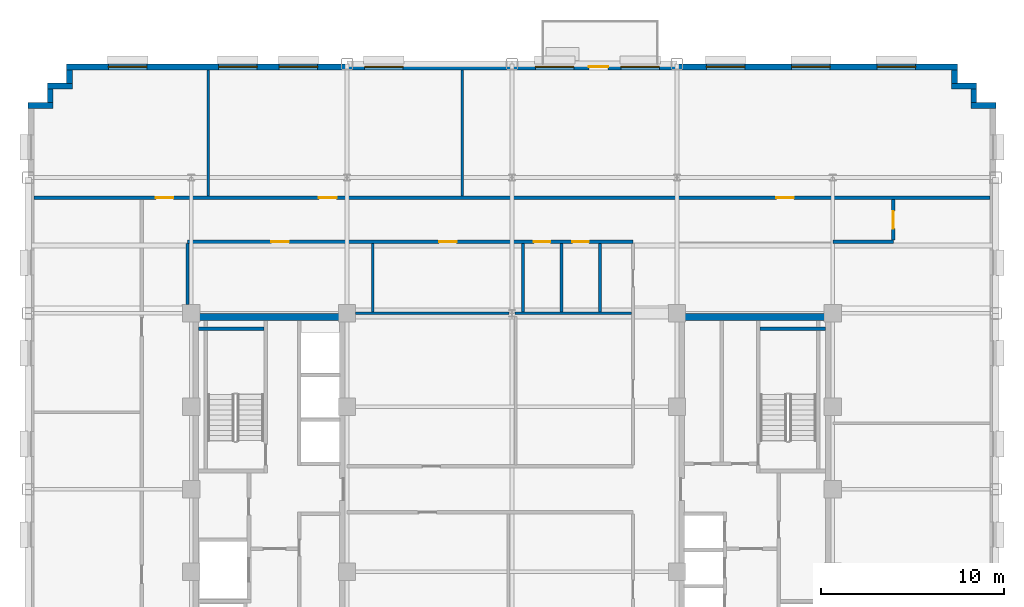
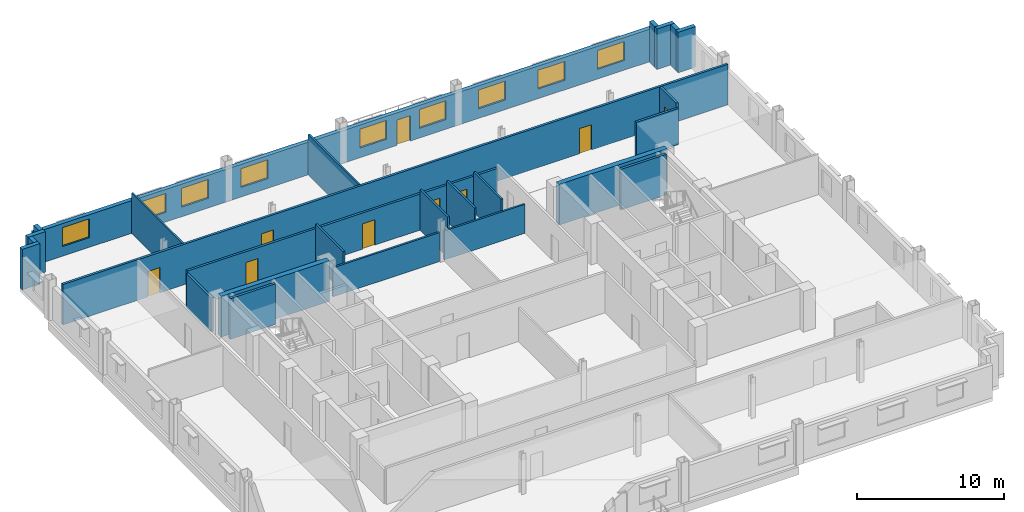
# One storey, part 9 of 14: 26 walls, 9 doors, 9 windows, 18 openings.
"""IFC4 building model written with IfcOpenShell, lengths in metres."""

from ifc_helpers import new_model, si_unit, direction, frame, frame_2d, origin, place, context, subcontext, project, spatial, rectangle, extrude, source, transform, mapped, material, layer, layer_set, type_object, type_shapes, element, fill, save


model = new_model("IFC4")

# Units and contexts
model_context = context("Model", 3, precision=1e-05, world=origin(), true_north=direction((0.0, 1.0)))
body_context = subcontext(model_context, "Body", "Model", "MODEL_VIEW")
ifc_project = project(units=[si_unit("LENGTHUNIT", "METRE"), si_unit("AREAUNIT", "SQUARE_METRE"), si_unit("VOLUMEUNIT", "CUBIC_METRE"), si_unit("PLANEANGLEUNIT", "RADIAN"), si_unit("MASSUNIT", "GRAM", prefix="KILO")], contexts=[model_context])

# Site, building, storey
site_placement = place(None, origin())
site = spatial("IfcSite", under=ifc_project, at=site_placement, CompositionType="ELEMENT")
building_placement = place(site_placement, origin())
building = spatial("IfcBuilding", under=site, at=building_placement, Name="Nuvemarco Arch Tower", CompositionType="ELEMENT")
storey_placement = place(building_placement, frame((0.0, 0.0, 145.75)))
storey = spatial("IfcBuildingStorey", under=building, at=storey_placement, Name="L38", CompositionType="ELEMENT", Elevation=145.75)

# Walls
ifc_material_1 = material(Name="Precast concrete C45/55", Category="concrete")
ifc_layer_1 = layer(ifc_material_1, 0.320068359375, Name="EW-MID-320")
ifc_layer_set_1 = layer_set([ifc_layer_1], Name="Precast concrete C45/55")
wall_type_1 = type_object("IfcWallType", Name="EW-MID-320", PredefinedType="STANDARD", material=ifc_layer_set_1)
wall_1_placement = place(storey_placement, frame((25.030029296875, 20.93994140625, 0.0), z_axis=(0.0, 0.0, 1.0), x_axis=(1.0, 0.0, 0.0)))
element("IfcWall", 1, at=wall_1_placement, inside=storey, type_object=wall_type_1, Name="L38 exterior precast facade wall 7", PredefinedType="STANDARD", context=body_context, shape_type="SweptSolid", body=[
    extrude(rectangle(XDim=1.369873046875, YDim=0.320068359375, at=frame_2d((0.68505859375, 0.0))), origin(), (0.0, 0.0, 1.0), 3.360107421875),
])
wall_2_placement = place(storey_placement, frame((25.18994140625, 21.095947265625, 0.0), z_axis=(0.0, 0.0, 1.0), x_axis=(0.0, 1.0, 0.0)))
element("IfcWall", 2, at=wall_2_placement, inside=storey, type_object=wall_type_1, Name="L38 exterior precast facade wall 8", PredefinedType="STANDARD", context=body_context, shape_type="SweptSolid", body=[
    extrude(rectangle(XDim=0.738037109375, YDim=0.320068359375, at=frame_2d((0.369140625, 0.0))), origin(), (0.0, 0.0, 1.0), 3.360107421875),
])
wall_3_placement = place(storey_placement, frame((23.97998046875, 21.989990234375, 0.0), z_axis=(0.0, 0.0, 1.0), x_axis=(1.0, 0.0, 0.0)))
element("IfcWall", 3, at=wall_3_placement, inside=storey, type_object=wall_type_1, Name="L38 exterior precast facade wall 9", PredefinedType="STANDARD", context=body_context, shape_type="SweptSolid", body=[
    extrude(rectangle(XDim=1.3701171875, YDim=0.320068359375, at=frame_2d((0.68505859375, 0.0))), origin(), (0.0, 0.0, 1.0), 3.360107421875),
])
wall_4_placement = place(storey_placement, frame((24.139892578125, 22.14599609375, 0.0), z_axis=(0.0, 0.0, 1.0), x_axis=(0.0, 1.0, 0.0)))
element("IfcWall", 4, at=wall_4_placement, inside=storey, type_object=wall_type_1, Name="L38 exterior precast facade wall 10", PredefinedType="STANDARD", context=body_context, shape_type="SweptSolid", body=[
    extrude(rectangle(XDim=0.738037109375, YDim=0.320068359375, at=frame_2d((0.369140625, 0.0))), origin(), (0.0, 0.0, 1.0), 3.360107421875),
])

# Wall, openings, door, windows
wall_5_placement = place(storey_placement, frame((-24.300048828125, 23.0400390625, 0.0), z_axis=(0.0, 0.0, 1.0), x_axis=(1.0, 0.0, 0.0)))
wall_5 = element("IfcWall", 5, at=wall_5_placement, inside=storey, type_object=wall_type_1, Name="L38 exterior precast facade wall 11", PredefinedType="STANDARD", context=body_context, shape_type="SweptSolid", body=[
    extrude(rectangle(XDim=48.60009765625, YDim=0.320068359375, at=frame_2d((24.300048828125, 0.0))), origin(), (0.0, 0.0, 1.0), 2.705078125),
])
opening_1_placement = place(wall_5_placement, frame((28.5, 0.0, 0.0)))
opening_1 = element("IfcOpeningElement", 6, at=opening_1_placement, cuts=wall_5, Name="Opening ED-5", PredefinedType="OPENING", context=body_context, shape_type="SweptSolid", body=[
    extrude(rectangle(XDim=1.050048828125, YDim=2.10009765625, at=frame_2d((0.52490234375, 1.050048828125))), frame((0.0, 0.169921875, 0.0), z_axis=(0.0, -1.0, 0.0), x_axis=(1.0, 0.0, 0.0)), (0.0, 0.0, 1.0), 0.340087890625),
])
opening_2_placement = place(wall_5_placement, frame((2.280029296875, 0.0, 0.800048828125)))
opening_2 = element("IfcOpeningElement", 7, at=opening_2_placement, cuts=wall_5, Name="Opening WN-5", PredefinedType="OPENING", context=body_context, shape_type="SweptSolid", body=[
    extrude(rectangle(XDim=2.10009765625, YDim=1.56005859375, at=frame_2d((1.050048828125, 0.780029296875))), frame((0.0, 0.169921875, 0.0), z_axis=(0.0, -1.0, 0.0), x_axis=(1.0, 0.0, 0.0)), (0.0, 0.0, 1.0), 0.340087890625),
])
opening_3_placement = place(wall_5_placement, frame((8.2900390625, 0.0, 0.800048828125)))
opening_3 = element("IfcOpeningElement", 8, at=opening_3_placement, cuts=wall_5, Name="Opening WN-5", PredefinedType="OPENING", context=body_context, shape_type="SweptSolid", body=[
    extrude(rectangle(XDim=2.10009765625, YDim=1.56005859375, at=frame_2d((1.050048828125, 0.780029296875))), frame((0.0, 0.169921875, 0.0), z_axis=(0.0, -1.0, 0.0), x_axis=(1.0, 0.0, 0.0)), (0.0, 0.0, 1.0), 0.340087890625),
])
opening_4_placement = place(wall_5_placement, frame((11.60009765625, 0.0, 0.800048828125)))
opening_4 = element("IfcOpeningElement", 9, at=opening_4_placement, cuts=wall_5, Name="Opening WN-5", PredefinedType="OPENING", context=body_context, shape_type="SweptSolid", body=[
    extrude(rectangle(XDim=2.10009765625, YDim=1.56005859375, at=frame_2d((1.050048828125, 0.780029296875))), frame((0.0, 0.169921875, 0.0), z_axis=(0.0, -1.0, 0.0), x_axis=(1.0, 0.0, 0.0)), (0.0, 0.0, 1.0), 0.340087890625),
])
opening_5_placement = place(wall_5_placement, frame((16.260009765625, 0.0, 0.800048828125)))
opening_5 = element("IfcOpeningElement", 10, at=opening_5_placement, cuts=wall_5, Name="Opening WN-5", PredefinedType="OPENING", context=body_context, shape_type="SweptSolid", body=[
    extrude(rectangle(XDim=2.10009765625, YDim=1.56005859375, at=frame_2d((1.050048828125, 0.780029296875))), frame((0.0, 0.169921875, 0.0), z_axis=(0.0, -1.0, 0.0), x_axis=(1.0, 0.0, 0.0)), (0.0, 0.0, 1.0), 0.340087890625),
])
opening_6_placement = place(wall_5_placement, frame((25.580078125, 0.0, 0.800048828125)))
opening_6 = element("IfcOpeningElement", 11, at=opening_6_placement, cuts=wall_5, Name="Opening WN-5", PredefinedType="OPENING", context=body_context, shape_type="SweptSolid", body=[
    extrude(rectangle(XDim=2.10009765625, YDim=1.56005859375, at=frame_2d((1.050048828125, 0.780029296875))), frame((0.0, 0.169921875, 0.0), z_axis=(0.0, -1.0, 0.0), x_axis=(1.0, 0.0, 0.0)), (0.0, 0.0, 1.0), 0.340087890625),
])
opening_7_placement = place(wall_5_placement, frame((30.239990234375, 0.0, 0.800048828125)))
opening_7 = element("IfcOpeningElement", 12, at=opening_7_placement, cuts=wall_5, Name="Opening WN-5", PredefinedType="OPENING", context=body_context, shape_type="SweptSolid", body=[
    extrude(rectangle(XDim=2.10009765625, YDim=1.56005859375, at=frame_2d((1.050048828125, 0.780029296875))), frame((0.0, 0.169921875, 0.0), z_axis=(0.0, -1.0, 0.0), x_axis=(1.0, 0.0, 0.0)), (0.0, 0.0, 1.0), 0.340087890625),
])
opening_8_placement = place(wall_5_placement, frame((34.89990234375, 0.0, 0.800048828125)))
opening_8 = element("IfcOpeningElement", 13, at=opening_8_placement, cuts=wall_5, Name="Opening WN-5", PredefinedType="OPENING", context=body_context, shape_type="SweptSolid", body=[
    extrude(rectangle(XDim=2.10009765625, YDim=1.56005859375, at=frame_2d((1.050048828125, 0.780029296875))), frame((0.0, 0.169921875, 0.0), z_axis=(0.0, -1.0, 0.0), x_axis=(1.0, 0.0, 0.0)), (0.0, 0.0, 1.0), 0.340087890625),
])
opening_9_placement = place(wall_5_placement, frame((39.56005859375, 0.0, 0.800048828125)))
opening_9 = element("IfcOpeningElement", 14, at=opening_9_placement, cuts=wall_5, Name="Opening WN-5", PredefinedType="OPENING", context=body_context, shape_type="SweptSolid", body=[
    extrude(rectangle(XDim=2.10009765625, YDim=1.56005859375, at=frame_2d((1.050048828125, 0.780029296875))), frame((0.0, 0.169921875, 0.0), z_axis=(0.0, -1.0, 0.0), x_axis=(1.0, 0.0, 0.0)), (0.0, 0.0, 1.0), 0.340087890625),
])
opening_10_placement = place(wall_5_placement, frame((44.219970703125, 0.0, 0.800048828125)))
opening_10 = element("IfcOpeningElement", 15, at=opening_10_placement, cuts=wall_5, Name="Opening WN-5", PredefinedType="OPENING", context=body_context, shape_type="SweptSolid", body=[
    extrude(rectangle(XDim=2.10009765625, YDim=1.56005859375, at=frame_2d((1.050048828125, 0.780029296875))), frame((0.0, 0.169921875, 0.0), z_axis=(0.0, -1.0, 0.0), x_axis=(1.0, 0.0, 0.0)), (0.0, 0.0, 1.0), 0.340087890625),
])
ifc_material_2 = material(Name="Anodised bronze and laminated glass", Category="glass")
door_type_1 = type_object("IfcDoorType", Name="DR-EXT-TERR", OperationType="NOTDEFINED", PredefinedType="DOOR", material=ifc_material_2)
shared_shape_1 = source(origin(), body_context, "Body", "SweptSolid", [
    extrude(rectangle(XDim=1.050048828125, YDim=2.10009765625, at=frame_2d((0.52490234375, 1.050048828125))), frame((0.0, 0.02490234375, 0.0), z_axis=(0.0, -1.0, 0.0), x_axis=(1.0, 0.0, 0.0)), (0.0, 0.0, 1.0), 0.050048828125),
])
type_shapes(door_type_1, [shared_shape_1])
door_1_placement = place(opening_1_placement, origin())
door_1 = element("IfcDoor", 16, at=door_1_placement, inside=storey, type_object=door_type_1, Name="L38 spiral terrace access door", OperationType="SINGLE_SWING_LEFT", OverallHeight=2.10009765625, OverallWidth=1.050048828125, PredefinedType="DOOR", context=body_context, shape_type="MappedRepresentation", body=[
    mapped(shared_shape_1, transform((0.0, 0.0, 0.0), scale=1.0)),
])
fill(opening_1, door_1)
ifc_material_3 = material(Name="Insulated solar-control glass", Category="glass")
window_type = type_object("IfcWindowType", Name="WN-MID-2100x1560", PartitioningType="DOUBLE_PANEL_VERTICAL", PredefinedType="WINDOW", material=ifc_material_3)
shared_shape_2 = source(origin(), body_context, "Body", "SweptSolid", [
    extrude(rectangle(XDim=2.10009765625, YDim=1.56005859375, at=frame_2d((1.050048828125, 0.780029296875))), frame((0.0, 0.030029296875, 0.0), z_axis=(0.0, -1.0, 0.0), x_axis=(1.0, 0.0, 0.0)), (0.0, 0.0, 1.0), 0.06005859375),
])
type_shapes(window_type, [shared_shape_2])
window_1_placement = place(opening_2_placement, origin())
window_1 = element("IfcWindow", 17, at=window_1_placement, inside=storey, type_object=window_type, Name="L38 punched facade window 1", OverallHeight=1.56005859375, OverallWidth=2.10009765625, PartitioningType="SINGLE_PANEL", PredefinedType="WINDOW", context=body_context, shape_type="MappedRepresentation", body=[
    mapped(shared_shape_2, transform((0.0, 0.0, 0.0), scale=1.0)),
])
fill(opening_2, window_1)
window_2_placement = place(opening_3_placement, origin())
window_2 = element("IfcWindow", 18, at=window_2_placement, inside=storey, type_object=window_type, Name="L38 punched facade window 2", OverallHeight=1.56005859375, OverallWidth=2.10009765625, PartitioningType="SINGLE_PANEL", PredefinedType="WINDOW", context=body_context, shape_type="MappedRepresentation", body=[
    mapped(shared_shape_2, transform((0.0, 0.0, 0.0), scale=1.0)),
])
fill(opening_3, window_2)
window_3_placement = place(opening_4_placement, origin())
window_3 = element("IfcWindow", 19, at=window_3_placement, inside=storey, type_object=window_type, Name="L38 punched facade window 3", OverallHeight=1.56005859375, OverallWidth=2.10009765625, PartitioningType="SINGLE_PANEL", PredefinedType="WINDOW", context=body_context, shape_type="MappedRepresentation", body=[
    mapped(shared_shape_2, transform((0.0, 0.0, 0.0), scale=1.0)),
])
fill(opening_4, window_3)
window_4_placement = place(opening_5_placement, origin())
window_4 = element("IfcWindow", 20, at=window_4_placement, inside=storey, type_object=window_type, Name="L38 punched facade window 4", OverallHeight=1.56005859375, OverallWidth=2.10009765625, PartitioningType="SINGLE_PANEL", PredefinedType="WINDOW", context=body_context, shape_type="MappedRepresentation", body=[
    mapped(shared_shape_2, transform((0.0, 0.0, 0.0), scale=1.0)),
])
fill(opening_5, window_4)
window_5_placement = place(opening_6_placement, origin())
window_5 = element("IfcWindow", 21, at=window_5_placement, inside=storey, type_object=window_type, Name="L38 punched facade window 6", OverallHeight=1.56005859375, OverallWidth=2.10009765625, PartitioningType="SINGLE_PANEL", PredefinedType="WINDOW", context=body_context, shape_type="MappedRepresentation", body=[
    mapped(shared_shape_2, transform((0.0, 0.0, 0.0), scale=1.0)),
])
fill(opening_6, window_5)
window_6_placement = place(opening_7_placement, origin())
window_6 = element("IfcWindow", 22, at=window_6_placement, inside=storey, type_object=window_type, Name="L38 punched facade window 7", OverallHeight=1.56005859375, OverallWidth=2.10009765625, PartitioningType="SINGLE_PANEL", PredefinedType="WINDOW", context=body_context, shape_type="MappedRepresentation", body=[
    mapped(shared_shape_2, transform((0.0, 0.0, 0.0), scale=1.0)),
])
fill(opening_7, window_6)
window_7_placement = place(opening_8_placement, origin())
window_7 = element("IfcWindow", 23, at=window_7_placement, inside=storey, type_object=window_type, Name="L38 punched facade window 8", OverallHeight=1.56005859375, OverallWidth=2.10009765625, PartitioningType="SINGLE_PANEL", PredefinedType="WINDOW", context=body_context, shape_type="MappedRepresentation", body=[
    mapped(shared_shape_2, transform((0.0, 0.0, 0.0), scale=1.0)),
])
fill(opening_8, window_7)
window_8_placement = place(opening_9_placement, origin())
window_8 = element("IfcWindow", 24, at=window_8_placement, inside=storey, type_object=window_type, Name="L38 punched facade window 9", OverallHeight=1.56005859375, OverallWidth=2.10009765625, PartitioningType="SINGLE_PANEL", PredefinedType="WINDOW", context=body_context, shape_type="MappedRepresentation", body=[
    mapped(shared_shape_2, transform((0.0, 0.0, 0.0), scale=1.0)),
])
fill(opening_9, window_8)
window_9_placement = place(opening_10_placement, origin())
window_9 = element("IfcWindow", 25, at=window_9_placement, inside=storey, type_object=window_type, Name="L38 punched facade window 10", OverallHeight=1.56005859375, OverallWidth=2.10009765625, PartitioningType="SINGLE_PANEL", PredefinedType="WINDOW", context=body_context, shape_type="MappedRepresentation", body=[
    mapped(shared_shape_2, transform((0.0, 0.0, 0.0), scale=1.0)),
])
fill(opening_10, window_9)

# Walls
wall_6_placement = place(storey_placement, frame((-24.139892578125, 22.14599609375, 0.0), z_axis=(0.0, 0.0, 1.0), x_axis=(0.0, 1.0, 0.0)))
element("IfcWall", 26, at=wall_6_placement, inside=storey, type_object=wall_type_1, Name="L38 exterior precast facade wall 12", PredefinedType="STANDARD", context=body_context, shape_type="SweptSolid", body=[
    extrude(rectangle(XDim=0.738037109375, YDim=0.320068359375, at=frame_2d((0.369140625, 0.0))), origin(), (0.0, 0.0, 1.0), 3.360107421875),
])
wall_7_placement = place(storey_placement, frame((-25.35009765625, 21.989990234375, 0.0), z_axis=(0.0, 0.0, 1.0), x_axis=(1.0, 0.0, 0.0)))
element("IfcWall", 27, at=wall_7_placement, inside=storey, type_object=wall_type_1, Name="L38 exterior precast facade wall 13", PredefinedType="STANDARD", context=body_context, shape_type="SweptSolid", body=[
    extrude(rectangle(XDim=1.3701171875, YDim=0.320068359375, at=frame_2d((0.68505859375, 0.0))), origin(), (0.0, 0.0, 1.0), 3.360107421875),
])
wall_8_placement = place(storey_placement, frame((-25.18994140625, 21.095947265625, 0.0), z_axis=(0.0, 0.0, 1.0), x_axis=(0.0, 1.0, 0.0)))
element("IfcWall", 28, at=wall_8_placement, inside=storey, type_object=wall_type_1, Name="L38 exterior precast facade wall 14", PredefinedType="STANDARD", context=body_context, shape_type="SweptSolid", body=[
    extrude(rectangle(XDim=0.738037109375, YDim=0.320068359375, at=frame_2d((0.369140625, 0.0))), origin(), (0.0, 0.0, 1.0), 3.360107421875),
])
wall_9_placement = place(storey_placement, frame((-26.39990234375, 20.93994140625, 0.0), z_axis=(0.0, 0.0, 1.0), x_axis=(1.0, 0.0, 0.0)))
element("IfcWall", 29, at=wall_9_placement, inside=storey, type_object=wall_type_1, Name="L38 exterior precast facade wall 15", PredefinedType="STANDARD", context=body_context, shape_type="SweptSolid", body=[
    extrude(rectangle(XDim=1.369873046875, YDim=0.320068359375, at=frame_2d((0.68505859375, 0.0))), origin(), (0.0, 0.0, 1.0), 3.360107421875),
])
ifc_material_4 = material(Name="Concrete C60/75", Category="concrete")
ifc_layer_2 = layer(ifc_material_4, 0.39990234375, Name="WL-CORE-400")
ifc_layer_set_2 = layer_set([ifc_layer_2], Name="Concrete C60/75")
wall_type_2 = type_object("IfcWallType", Name="WL-CORE-400", PredefinedType="SHEAR", material=ifc_layer_set_2)
for number, where, z_axis, x_axis, name in (
    (30, (-17.5, 9.39990234375, 0.0), (0.0, 0.0, 1.0), (1.0, 0.0, 0.0), "L38 W-core shear wall N"),
    (31, (9.0, 9.39990234375, 0.0), (0.0, 0.0, 1.0), (1.0, 0.0, 0.0), "L38 E-core shear wall N"),
):
    element("IfcWall", number, at=place(storey_placement, frame(where, z_axis=z_axis, x_axis=x_axis)), inside=storey, type_object=wall_type_2, Name=name, PredefinedType="SHEAR", context=body_context, shape_type="SweptSolid", body=[
        extrude(rectangle(XDim=8.5, YDim=0.39990234375, at=frame_2d((4.25, 0.0))), origin(), (0.0, 0.0, 1.0), 3.3701171875),
    ])

# Wall, openings, doors
ifc_material_5 = material(Name="Fire-rated gypsum drywall partition")
ifc_layer_3 = layer(ifc_material_5, 0.179931640625, Name="WL-CORR-180")
ifc_layer_set_3 = layer_set([ifc_layer_3], Name="Fire-rated gypsum drywall partition")
wall_type_3 = type_object("IfcWallType", Name="WL-CORR-180", PredefinedType="PARTITIONING", material=ifc_layer_set_3)
wall_10_placement = place(storey_placement, frame((-17.699951171875, 13.5, 0.0), z_axis=(0.0, 0.0, 1.0), x_axis=(1.0, 0.0, 0.0)))
wall_10 = element("IfcWall", 32, at=wall_10_placement, inside=storey, type_object=wall_type_3, Name="L38 interior wall IW-L38-012", PredefinedType="PARTITIONING", context=body_context, shape_type="SweptSolid", body=[
    extrude(rectangle(XDim=24.300048828125, YDim=0.179931640625, at=frame_2d((12.14990234375, 0.0))), origin(), (0.0, 0.0, 1.0), 2.998046875),
])
opening_11_placement = place(wall_10_placement, frame((4.570068359375, 0.0, 0.0)))
opening_11 = element("IfcOpeningElement", 33, at=opening_11_placement, cuts=wall_10, Name="Opening FD-5", PredefinedType="OPENING", context=body_context, shape_type="SweptSolid", body=[
    extrude(rectangle(XDim=0.9599609375, YDim=2.10009765625, at=frame_2d((0.47998046875, 1.050048828125))), frame((0.0, 0.099853515625, 0.0), z_axis=(0.0, -1.0, 0.0), x_axis=(1.0, 0.0, 0.0)), (0.0, 0.0, 1.0), 0.199951171875),
])
opening_12_placement = place(wall_10_placement, frame((13.719970703125, 0.0, 0.0)))
opening_12 = element("IfcOpeningElement", 34, at=opening_12_placement, cuts=wall_10, Name="Opening FD-5", PredefinedType="OPENING", context=body_context, shape_type="SweptSolid", body=[
    extrude(rectangle(XDim=0.9599609375, YDim=2.10009765625, at=frame_2d((0.47998046875, 1.050048828125))), frame((0.0, 0.099853515625, 0.0), z_axis=(0.0, -1.0, 0.0), x_axis=(1.0, 0.0, 0.0)), (0.0, 0.0, 1.0), 0.199951171875),
])
opening_13_placement = place(wall_10_placement, frame((18.89990234375, 0.0, 0.0)))
opening_13 = element("IfcOpeningElement", 35, at=opening_13_placement, cuts=wall_10, Name="Opening ID-3", PredefinedType="OPENING", context=body_context, shape_type="SweptSolid", body=[
    extrude(rectangle(XDim=0.89990234375, YDim=2.10009765625, at=frame_2d((0.449951171875, 1.050048828125))), frame((0.0, 0.099853515625, 0.0), z_axis=(0.0, -1.0, 0.0), x_axis=(1.0, 0.0, 0.0)), (0.0, 0.0, 1.0), 0.199951171875),
])
opening_14_placement = place(wall_10_placement, frame((21.0, 0.0, 0.0)))
opening_14 = element("IfcOpeningElement", 36, at=opening_14_placement, cuts=wall_10, Name="Opening ID-3", PredefinedType="OPENING", context=body_context, shape_type="SweptSolid", body=[
    extrude(rectangle(XDim=0.89990234375, YDim=2.10009765625, at=frame_2d((0.449951171875, 1.050048828125))), frame((0.0, 0.099853515625, 0.0), z_axis=(0.0, -1.0, 0.0), x_axis=(1.0, 0.0, 0.0)), (0.0, 0.0, 1.0), 0.199951171875),
])
ifc_material_6 = material(Name="Timber fire door", Category="wood")
door_type_2 = type_object("IfcDoorType", Name="DR-CORR-FD", OperationType="NOTDEFINED", PredefinedType="DOOR", material=ifc_material_6)
shared_shape_3 = source(origin(), body_context, "Body", "SweptSolid", [
    extrude(rectangle(XDim=0.9599609375, YDim=2.10009765625, at=frame_2d((0.47998046875, 1.050048828125))), frame((0.0, 0.02490234375, 0.0), z_axis=(0.0, -1.0, 0.0), x_axis=(1.0, 0.0, 0.0)), (0.0, 0.0, 1.0), 0.050048828125),
])
type_shapes(door_type_2, [shared_shape_3])
door_2_placement = place(opening_11_placement, origin())
door_2 = element("IfcDoor", 37, at=door_2_placement, inside=storey, type_object=door_type_2, Name="L38 door DR-L38-IN_N1", OperationType="SINGLE_SWING_LEFT", OverallHeight=2.10009765625, OverallWidth=0.9599609375, PredefinedType="DOOR", context=body_context, shape_type="MappedRepresentation", body=[
    mapped(shared_shape_3, transform((0.0, 0.0, 0.0), scale=1.0)),
])
fill(opening_11, door_2)
door_3_placement = place(opening_12_placement, origin())
door_3 = element("IfcDoor", 38, at=door_3_placement, inside=storey, type_object=door_type_2, Name="L38 door DR-L38-IN_N2", OperationType="SINGLE_SWING_LEFT", OverallHeight=2.10009765625, OverallWidth=0.9599609375, PredefinedType="DOOR", context=body_context, shape_type="MappedRepresentation", body=[
    mapped(shared_shape_3, transform((0.0, 0.0, 0.0), scale=1.0)),
])
fill(opening_12, door_3)
ifc_material_7 = material(Name="Veneered oak timber fire door", Category="wood")
door_type_3 = type_object("IfcDoorType", Name="DR-WC-ACC", OperationType="NOTDEFINED", PredefinedType="DOOR", material=ifc_material_7)
shared_shape_4 = source(origin(), body_context, "Body", "SweptSolid", [
    extrude(rectangle(XDim=0.89990234375, YDim=2.10009765625, at=frame_2d((0.449951171875, 1.050048828125))), frame((0.0, 0.02490234375, 0.0), z_axis=(0.0, -1.0, 0.0), x_axis=(1.0, 0.0, 0.0)), (0.0, 0.0, 1.0), 0.050048828125),
])
type_shapes(door_type_3, [shared_shape_4])
door_4_placement = place(opening_13_placement, origin())
door_4 = element("IfcDoor", 39, at=door_4_placement, inside=storey, type_object=door_type_3, Name="L38 door DR-L38-WC_M", OperationType="SINGLE_SWING_RIGHT", OverallHeight=2.10009765625, OverallWidth=0.89990234375, PredefinedType="DOOR", context=body_context, shape_type="MappedRepresentation", body=[
    mapped(shared_shape_4, transform((0.0, 0.0, 0.0), scale=1.0)),
])
fill(opening_13, door_4)
door_5_placement = place(opening_14_placement, origin())
door_5 = element("IfcDoor", 40, at=door_5_placement, inside=storey, type_object=door_type_3, Name="L38 door DR-L38-WC_F", OperationType="SINGLE_SWING_LEFT", OverallHeight=2.10009765625, OverallWidth=0.89990234375, PredefinedType="DOOR", context=body_context, shape_type="MappedRepresentation", body=[
    mapped(shared_shape_4, transform((0.0, 0.0, 0.0), scale=1.0)),
])
fill(opening_14, door_5)

# Wall
wall_11_placement = place(storey_placement, frame((17.5, 13.5, 0.0), z_axis=(0.0, 0.0, 1.0), x_axis=(1.0, 0.0, 0.0)))
element("IfcWall", 41, at=wall_11_placement, inside=storey, type_object=wall_type_3, Name="L38 interior wall IW-L38-013", PredefinedType="PARTITIONING", context=body_context, shape_type="SweptSolid", body=[
    extrude(rectangle(XDim=3.300048828125, YDim=0.179931640625, at=frame_2d((1.64990234375, 0.0))), origin(), (0.0, 0.0, 1.0), 2.998046875),
])

# Wall, openings, doors
wall_12_placement = place(storey_placement, frame((-26.080078125, 15.89990234375, 0.0), z_axis=(0.0, 0.0, 1.0), x_axis=(1.0, 0.0, 0.0)))
wall_12 = element("IfcWall", 42, at=wall_12_placement, inside=storey, type_object=wall_type_3, Name="L38 interior wall IW-L38-014", PredefinedType="PARTITIONING", context=body_context, shape_type="SweptSolid", body=[
    extrude(rectangle(XDim=52.16015625, YDim=0.179931640625, at=frame_2d((26.080078125, 0.0))), origin(), (0.0, 0.0, 1.0), 3.360107421875),
])
opening_15_placement = place(wall_12_placement, frame((15.550048828125, 0.0, 0.0)))
opening_15 = element("IfcOpeningElement", 43, at=opening_15_placement, cuts=wall_12, Name="Opening FD-5", PredefinedType="OPENING", context=body_context, shape_type="SweptSolid", body=[
    extrude(rectangle(XDim=0.9599609375, YDim=2.10009765625, at=frame_2d((0.47998046875, 1.050048828125))), frame((0.0, 0.099853515625, 0.0), z_axis=(0.0, -1.0, 0.0), x_axis=(1.0, 0.0, 0.0)), (0.0, 0.0, 1.0), 0.199951171875),
])
opening_16_placement = place(wall_12_placement, frame((40.5, 0.0, 0.0)))
opening_16 = element("IfcOpeningElement", 44, at=opening_16_placement, cuts=wall_12, Name="Opening FD-5", PredefinedType="OPENING", context=body_context, shape_type="SweptSolid", body=[
    extrude(rectangle(XDim=0.9599609375, YDim=2.10009765625, at=frame_2d((0.47998046875, 1.050048828125))), frame((0.0, 0.099853515625, 0.0), z_axis=(0.0, -1.0, 0.0), x_axis=(1.0, 0.0, 0.0)), (0.0, 0.0, 1.0), 0.199951171875),
])
opening_17_placement = place(wall_12_placement, frame((6.64990234375, 0.0, 0.0)))
opening_17 = element("IfcOpeningElement", 45, at=opening_17_placement, cuts=wall_12, Name="Opening FD-5", PredefinedType="OPENING", context=body_context, shape_type="SweptSolid", body=[
    extrude(rectangle(XDim=0.9599609375, YDim=2.10009765625, at=frame_2d((0.47998046875, 1.050048828125))), frame((0.0, 0.099853515625, 0.0), z_axis=(0.0, -1.0, 0.0), x_axis=(1.0, 0.0, 0.0)), (0.0, 0.0, 1.0), 0.199951171875),
])
door_6_placement = place(opening_15_placement, origin())
door_6 = element("IfcDoor", 46, at=door_6_placement, inside=storey, type_object=door_type_2, Name="L38 door DR-L38-N_2", OperationType="SINGLE_SWING_RIGHT", OverallHeight=2.10009765625, OverallWidth=0.9599609375, PredefinedType="DOOR", context=body_context, shape_type="MappedRepresentation", body=[
    mapped(shared_shape_3, transform((0.0, 0.0, 0.0), scale=1.0)),
])
fill(opening_15, door_6)
door_7_placement = place(opening_16_placement, origin())
door_7 = element("IfcDoor", 47, at=door_7_placement, inside=storey, type_object=door_type_2, Name="L38 door DR-L38-N_3", OperationType="SINGLE_SWING_LEFT", OverallHeight=2.10009765625, OverallWidth=0.9599609375, PredefinedType="DOOR", context=body_context, shape_type="MappedRepresentation", body=[
    mapped(shared_shape_3, transform((0.0, 0.0, 0.0), scale=1.0)),
])
fill(opening_16, door_7)
door_8_placement = place(opening_17_placement, origin())
door_8 = element("IfcDoor", 48, at=door_8_placement, inside=storey, type_object=door_type_2, Name="L38 door DR-L38-N_1", OperationType="SINGLE_SWING_LEFT", OverallHeight=2.10009765625, OverallWidth=0.9599609375, PredefinedType="DOOR", context=body_context, shape_type="MappedRepresentation", body=[
    mapped(shared_shape_3, transform((0.0, 0.0, 0.0), scale=1.0)),
])
fill(opening_17, door_8)

# Wall
wall_13_placement = place(storey_placement, frame((-17.699951171875, 10.071044921875, 0.0), z_axis=(0.0, 0.0, 1.0), x_axis=(0.0, 1.0, 0.0)))
element("IfcWall", 49, at=wall_13_placement, inside=storey, type_object=wall_type_3, Name="L38 interior wall IW-L38-017", PredefinedType="PARTITIONING", context=body_context, shape_type="SweptSolid", body=[
    extrude(rectangle(XDim=3.343017578125, YDim=0.179931640625, at=frame_2d((1.67138671875, 0.0))), origin(), (0.0, 0.0, 1.0), 2.81591796875),
])

# Wall, opening, door
wall_14_placement = place(storey_placement, frame((20.800048828125, 13.5859375, 0.0), z_axis=(0.0, 0.0, 1.0), x_axis=(0.0, 1.0, 0.0)))
wall_14 = element("IfcWall", 50, at=wall_14_placement, inside=storey, type_object=wall_type_3, Name="L38 interior wall IW-L38-030", PredefinedType="PARTITIONING", context=body_context, shape_type="SweptSolid", body=[
    extrude(rectangle(XDim=2.22802734375, YDim=0.179931640625, at=frame_2d((1.114013671875, 0.0))), origin(), (0.0, 0.0, 1.0), 3.360107421875),
])
opening_18_placement = place(wall_14_placement, frame((0.634033203125, 0.0, 0.0)))
opening_18 = element("IfcOpeningElement", 51, at=opening_18_placement, cuts=wall_14, Name="Opening FD-5", PredefinedType="OPENING", context=body_context, shape_type="SweptSolid", body=[
    extrude(rectangle(XDim=0.9599609375, YDim=2.10009765625, at=frame_2d((0.47998046875, 1.050048828125))), frame((0.0, 0.099853515625, 0.0), z_axis=(0.0, -1.0, 0.0), x_axis=(1.0, 0.0, 0.0)), (0.0, 0.0, 1.0), 0.199951171875),
])
door_9_placement = place(opening_18_placement, origin())
door_9 = element("IfcDoor", 52, at=door_9_placement, inside=storey, type_object=door_type_2, Name="L38 door DR-L38-E_2", OperationType="SINGLE_SWING_LEFT", OverallHeight=2.10009765625, OverallWidth=0.9599609375, PredefinedType="DOOR", context=body_context, shape_type="MappedRepresentation", body=[
    mapped(shared_shape_3, transform((0.0, 0.0, 0.0), scale=1.0)),
])
fill(opening_18, door_9)

# Walls
ifc_material_8 = material(Name="Glazed acoustic office partition")
ifc_layer_4 = layer(ifc_material_8, 0.1298828125, Name="WL-EXEC-130")
ifc_layer_set_4 = layer_set([ifc_layer_4], Name="Glazed acoustic office partition")
wall_type_4 = type_object("IfcWallType", Name="WL-EXEC-130", PredefinedType="PARTITIONING", material=ifc_layer_set_4)
for number, where, z_axis, x_axis, name in (
    (53, (-16.570068359375, 15.986083984375, 0.0), (0.0, 0.0, 1.0), (0.0, 1.0, 0.0), "L38 interior wall IW-L38-018"),
    (54, (-2.7099609375, 15.986083984375, 0.0), (0.0, 0.0, 1.0), (0.0, 1.0, 0.0), "L38 interior wall IW-L38-020"),
):
    element("IfcWall", number, at=place(storey_placement, frame(where, z_axis=z_axis, x_axis=x_axis)), inside=storey, type_object=wall_type_4, Name=name, PredefinedType="PARTITIONING", context=body_context, shape_type="SweptSolid", body=[
        extrude(rectangle(XDim=6.893798828125, YDim=0.1298828125, at=frame_2d((3.44677734375, 0.0))), origin(), (0.0, 0.0, 1.0), 3.360107421875),
    ])
ifc_material_9 = material(Name="Gypsum plasterboard partition")
ifc_layer_5 = layer(ifc_material_9, 0.139892578125, Name="WL-ROOM-140")
ifc_layer_set_5 = layer_set([ifc_layer_5], Name="Gypsum plasterboard partition")
wall_type_5 = type_object("IfcWallType", Name="WL-ROOM-140", PredefinedType="PARTITIONING", material=ifc_layer_set_5)
wall_15_placement = place(storey_placement, frame((-7.60009765625, 9.6708984375, 0.0), z_axis=(0.0, 0.0, 1.0), x_axis=(0.0, 1.0, 0.0)))
element("IfcWall", 55, at=wall_15_placement, inside=storey, type_object=wall_type_5, Name="L38 interior wall IW-L38-019", PredefinedType="PARTITIONING", context=body_context, shape_type="SweptSolid", body=[
    extrude(rectangle(XDim=3.7431640625, YDim=0.139892578125, at=frame_2d((1.87158203125, 0.0))), origin(), (0.0, 0.0, 1.0), 3.360107421875),
])
ifc_material_10 = material(Name="Concrete C50/60", Category="concrete")
ifc_layer_6 = layer(ifc_material_10, 0.199951171875, Name="WL-SHAFT-220")
ifc_layer_set_6 = layer_set([ifc_layer_6], Name="Concrete C50/60")
wall_type_6 = type_object("IfcWallType", Name="WL-SHAFT-220", PredefinedType="SHEAR", material=ifc_layer_set_6)
for number, where, z_axis, x_axis, name in (
    (56, (-17.10498046875, 8.75, 0.0), (0.0, 0.0, 1.0), (1.0, 0.0, 0.0), "L38 structural shaft wall SW-L38-W-ST1N"),
    (57, (13.534912109375, 8.75, 0.0), (0.0, 0.0, 1.0), (1.0, 0.0, 0.0), "L38 structural shaft wall SW-L38-E-ST2N"),
):
    element("IfcWall", number, at=place(storey_placement, frame(where, z_axis=z_axis, x_axis=x_axis)), inside=storey, type_object=wall_type_6, Name=name, PredefinedType="SHEAR", context=body_context, shape_type="SweptSolid", body=[
        extrude(rectangle(XDim=3.570068359375, YDim=0.199951171875, at=frame_2d((1.78515625, 0.0))), origin(), (0.0, 0.0, 1.0), 3.3701171875),
    ])
ifc_material_11 = material(Name="Moisture-resistant gypsum partition")
ifc_layer_7 = layer(ifc_material_11, 0.14990234375, Name="WL-WET-150")
ifc_layer_set_7 = layer_set([ifc_layer_7], Name="Moisture-resistant gypsum partition")
wall_type_7 = type_object("IfcWallType", Name="WL-WET-150", PredefinedType="PARTITIONING", material=ifc_layer_set_7)
wall_16_placement = place(storey_placement, frame((-8.529052734375, 9.60009765625, 0.0), z_axis=(0.0, 0.0, 1.0), x_axis=(1.0, 0.0, 0.0)))
element("IfcWall", 58, at=wall_16_placement, inside=storey, type_object=wall_type_7, Name="L38 interior wall IW-L38-010", PredefinedType="PARTITIONING", context=body_context, shape_type="SweptSolid", body=[
    extrude(rectangle(XDim=8.35302734375, YDim=0.14990234375, at=frame_2d((4.176513671875, 0.0))), origin(), (0.0, 0.0, 1.0), 2.405029296875),
])
wall_17_placement = place(storey_placement, frame((0.176025390625, 9.60009765625, 0.0), z_axis=(0.0, 0.0, 1.0), x_axis=(1.0, 0.0, 0.0)))
element("IfcWall", 59, at=wall_17_placement, inside=storey, type_object=wall_type_7, Name="L38 interior wall IW-L38-011", PredefinedType="PARTITIONING", context=body_context, shape_type="SweptSolid", body=[
    extrude(rectangle(XDim=6.337890625, YDim=0.14990234375, at=frame_2d((3.1689453125, 0.0))), origin(), (0.0, 0.0, 1.0), 2.405029296875),
])
for number, where, z_axis, x_axis, name in (
    (60, (0.60009765625, 9.6708984375, 0.0), (0.0, 0.0, 1.0), (0.0, 1.0, 0.0), "L38 interior wall IW-L38-023"),
    (61, (2.699951171875, 9.6708984375, 0.0), (0.0, 0.0, 1.0), (0.0, 1.0, 0.0), "L38 interior wall IW-L38-024"),
    (62, (4.800048828125, 9.6708984375, 0.0), (0.0, 0.0, 1.0), (0.0, 1.0, 0.0), "L38 interior wall IW-L38-026"),
):
    element("IfcWall", number, at=place(storey_placement, frame(where, z_axis=z_axis, x_axis=x_axis)), inside=storey, type_object=wall_type_7, Name=name, PredefinedType="PARTITIONING", context=body_context, shape_type="SweptSolid", body=[
        extrude(rectangle(XDim=3.7431640625, YDim=0.14990234375, at=frame_2d((1.87158203125, 0.0))), origin(), (0.0, 0.0, 1.0), 3.360107421875),
    ])

save(model, "model.ifc")
